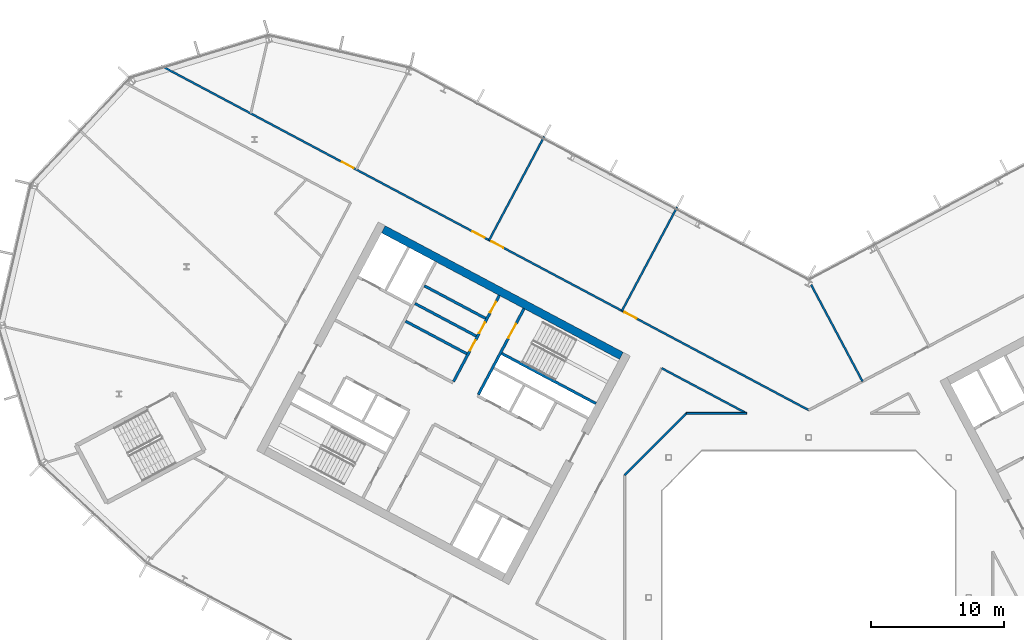
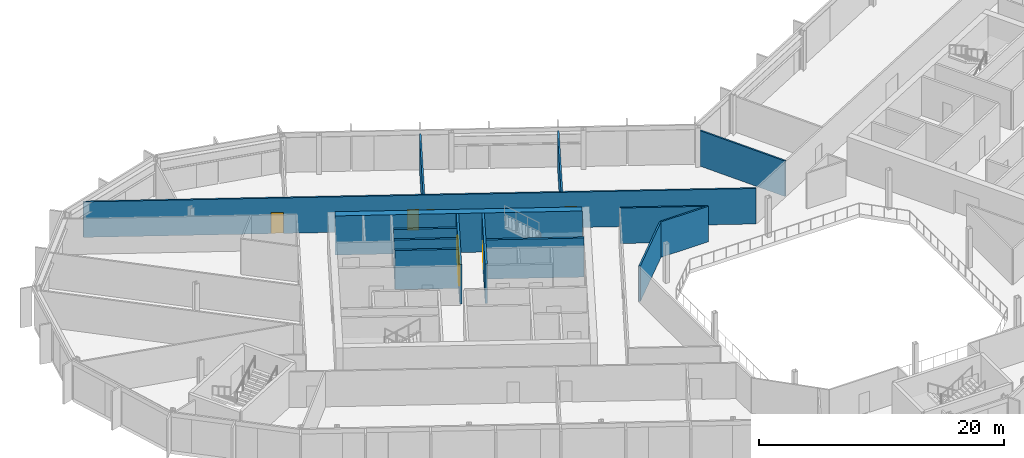
# One storey, part 14 of 26: 14 walls, 8 doors, 8 openings.
"""IFC4 building model written with IfcOpenShell, lengths in metres."""

from ifc_helpers import new_model, si_unit, direction, frame, frame_2d, origin, place, context, subcontext, project, spatial, rectangle, extrude, material, layer, layer_set, type_object, element, fill, save


model = new_model("IFC4")

# Units and contexts
model_context = context("Model", 3, precision=1e-05, world=origin(), true_north=direction((0.0, 1.0)))
body_context = subcontext(model_context, "Body", "Model", "MODEL_VIEW")
ifc_project = project(units=[si_unit("LENGTHUNIT", "METRE"), si_unit("AREAUNIT", "SQUARE_METRE"), si_unit("VOLUMEUNIT", "CUBIC_METRE"), si_unit("PLANEANGLEUNIT", "RADIAN"), si_unit("MASSUNIT", "GRAM", prefix="KILO")], contexts=[model_context])

# Site, building, storey
site_placement = place(None, origin())
site = spatial("IfcSite", under=ifc_project, at=site_placement, CompositionType="ELEMENT")
building_placement = place(site_placement, origin())
building = spatial("IfcBuilding", under=site, at=building_placement, Name="Cormorant Relay Tower", CompositionType="ELEMENT")
storey_placement = place(building_placement, frame((0.0, 0.0, 205.199951171875)))
storey = spatial("IfcBuildingStorey", under=building, at=storey_placement, Name="L44", CompositionType="ELEMENT", Elevation=205.199951171875)

# Walls
ifc_material_1 = material(Name="Concrete 40 MPa", Category="concrete")
ifc_layer_1 = layer(ifc_material_1, 0.199951171875)
ifc_layer_set_1 = layer_set([ifc_layer_1], Name="Core internal wall 200")
wall_type_1 = type_object("IfcWallType", Name="Core internal wall 200", PredefinedType="SOLIDWALL", material=ifc_layer_set_1)
wall_1_placement = place(storey_placement, frame((-24.214599609375, 20.91650390625, 0.0), z_axis=(0.0, 0.0, 1.0), x_axis=(-0.882964314875, 0.469440111896, 0.0)))
element("IfcWall", 1, at=wall_1_placement, inside=storey, type_object=wall_type_1, Name="L44 core A shaft and room wall", PredefinedType="SOLIDWALL", context=body_context, shape_type="SweptSolid", body=[
    extrude(rectangle(XDim=5.2001953125, YDim=0.199951171875, at=frame_2d((2.60009765625, 0.0))), origin(), (0.0, 0.0, 1.0), 3.900146484375),
])
wall_2_placement = place(storey_placement, frame((-24.9189453125, 19.592041015625, 0.0), z_axis=(0.0, 0.0, 1.0), x_axis=(-0.882953967957, 0.469459572775, 0.0)))
element("IfcWall", 2, at=wall_2_placement, inside=storey, type_object=wall_type_1, Name="L44 core A shaft and room wall", PredefinedType="SOLIDWALL", context=body_context, shape_type="SweptSolid", body=[
    extrude(rectangle(XDim=5.199951171875, YDim=0.199951171875, at=frame_2d((2.60009765625, 0.0))), origin(), (0.0, 0.0, 1.0), 3.900146484375),
])

# Wall, opening, door
ifc_material_2 = material(Name="Concrete 50 MPa", Category="concrete")
ifc_layer_2 = layer(ifc_material_2, 0.199951171875)
ifc_layer_set_2 = layer_set([ifc_layer_2], Name="Core shaft wall 200")
wall_type_2 = type_object("IfcWallType", Name="Core shaft wall 200", PredefinedType="SHEAR", material=ifc_layer_set_2)
wall_3_placement = place(storey_placement, frame((-21.333251953125, 21.6494140625, 0.0), z_axis=(0.0, 0.0, 1.0), x_axis=(-0.469494272526, -0.882935517501, 0.0)))
wall_3 = element("IfcWall", 3, at=wall_3_placement, inside=storey, type_object=wall_type_2, Name="L44 core A shaft wall", PredefinedType="SHEAR", context=body_context, shape_type="SweptSolid", body=[
    extrude(rectangle(XDim=7.2998046875, YDim=0.199951171875, at=frame_2d((3.64990234375, 0.0))), origin(), (0.0, 0.0, 1.0), 3.900146484375),
])
opening_1_placement = place(wall_3_placement, frame((1.300048828125, 0.0, 0.0)))
opening_1 = element("IfcOpeningElement", 4, at=opening_1_placement, cuts=wall_3, Name="Opening CDB-038", PredefinedType="OPENING", context=body_context, shape_type="SweptSolid", body=[
    extrude(rectangle(XDim=1.199951171875, YDim=2.10009765625, at=frame_2d((0.60009765625, 1.050048828125))), frame((0.0, 0.10986328125, 0.0), z_axis=(0.0, -1.0, 0.0), x_axis=(1.0, 0.0, 0.0)), (0.0, 0.0, 1.0), 0.219970703125),
])
ifc_material_3 = material(Name="Steel fire door", Category="steel")
door_type_1 = type_object("IfcDoorType", Name="Core stair door 1200x2100", OperationType="SINGLE_SWING_LEFT", PredefinedType="DOOR", material=ifc_material_3)
door_1_placement = place(opening_1_placement, origin())
door_1 = element("IfcDoor", 5, at=door_1_placement, inside=storey, type_object=door_type_1, Name="Core stair door 1200x2100", OperationType="SINGLE_SWING_RIGHT", OverallHeight=2.10009765625, OverallWidth=1.199951171875, PredefinedType="DOOR", context=body_context, shape_type="SweptSolid", body=[
    extrude(rectangle(XDim=1.199951171875, YDim=2.10009765625, at=frame_2d((0.60009765625, 1.050048828125))), frame((0.0, 0.02490234375, 0.0), z_axis=(0.0, -1.0, 0.0), x_axis=(1.0, 0.0, 0.0)), (0.0, 0.0, 1.0), 0.050048828125),
])
fill(opening_1, door_1)

# Wall, openings, doors
wall_4_placement = place(storey_placement, frame((-23.1875, 22.635498046875, 0.0), z_axis=(0.0, 0.0, 1.0), x_axis=(-0.469454336211, -0.882956752176, 0.0)))
wall_4 = element("IfcWall", 6, at=wall_4_placement, inside=storey, type_object=wall_type_2, Name="L44 core A shaft wall", PredefinedType="SHEAR", context=body_context, shape_type="SweptSolid", body=[
    extrude(rectangle(XDim=7.300048828125, YDim=0.199951171875, at=frame_2d((3.64990234375, 0.0))), origin(), (0.0, 0.0, 1.0), 3.900146484375),
])
opening_2_placement = place(wall_4_placement, frame((0.550048828125, 0.0, 0.0)))
opening_2 = element("IfcOpeningElement", 7, at=opening_2_placement, cuts=wall_4, Name="Opening CDD-257", PredefinedType="OPENING", context=body_context, shape_type="SweptSolid", body=[
    extrude(rectangle(XDim=0.89990234375, YDim=2.10009765625, at=frame_2d((0.449951171875, 1.050048828125))), frame((0.0, 0.10986328125, 0.0), z_axis=(0.0, -1.0, 0.0), x_axis=(1.0, 0.0, 0.0)), (0.0, 0.0, 1.0), 0.219970703125),
])
opening_3_placement = place(wall_4_placement, frame((2.300048828125, 0.0, 0.0)))
opening_3 = element("IfcOpeningElement", 8, at=opening_3_placement, cuts=wall_4, Name="Opening CDD-258", PredefinedType="OPENING", context=body_context, shape_type="SweptSolid", body=[
    extrude(rectangle(XDim=0.89990234375, YDim=2.10009765625, at=frame_2d((0.449951171875, 1.050048828125))), frame((0.0, 0.10986328125, 0.0), z_axis=(0.0, -1.0, 0.0), x_axis=(1.0, 0.0, 0.0)), (0.0, 0.0, 1.0), 0.219970703125),
])
opening_4_placement = place(wall_4_placement, frame((3.800048828125, 0.0, 0.0)))
opening_4 = element("IfcOpeningElement", 9, at=opening_4_placement, cuts=wall_4, Name="Opening CDD-259", PredefinedType="OPENING", context=body_context, shape_type="SweptSolid", body=[
    extrude(rectangle(XDim=0.89990234375, YDim=2.10009765625, at=frame_2d((0.449951171875, 1.050048828125))), frame((0.0, 0.10986328125, 0.0), z_axis=(0.0, -1.0, 0.0), x_axis=(1.0, 0.0, 0.0)), (0.0, 0.0, 1.0), 0.219970703125),
])
ifc_material_4 = material(Name="Steel fire door", Category="steel")
door_type_2 = type_object("IfcDoorType", Name="Core room door 900x2100", OperationType="SINGLE_SWING_LEFT", PredefinedType="DOOR", material=ifc_material_4)
door_2_placement = place(opening_2_placement, origin())
door_2 = element("IfcDoor", 10, at=door_2_placement, inside=storey, type_object=door_type_2, Name="Core room door 900x2100", OperationType="SINGLE_SWING_LEFT", OverallHeight=2.10009765625, OverallWidth=0.89990234375, PredefinedType="DOOR", context=body_context, shape_type="SweptSolid", body=[
    extrude(rectangle(XDim=0.89990234375, YDim=2.10009765625, at=frame_2d((0.449951171875, 1.050048828125))), frame((0.0, 0.02490234375, 0.0), z_axis=(0.0, -1.0, 0.0), x_axis=(1.0, 0.0, 0.0)), (0.0, 0.0, 1.0), 0.050048828125),
])
fill(opening_2, door_2)
door_3_placement = place(opening_3_placement, origin())
door_3 = element("IfcDoor", 11, at=door_3_placement, inside=storey, type_object=door_type_2, Name="Core room door 900x2100", OperationType="SINGLE_SWING_LEFT", OverallHeight=2.10009765625, OverallWidth=0.89990234375, PredefinedType="DOOR", context=body_context, shape_type="SweptSolid", body=[
    extrude(rectangle(XDim=0.89990234375, YDim=2.10009765625, at=frame_2d((0.449951171875, 1.050048828125))), frame((0.0, 0.02490234375, 0.0), z_axis=(0.0, -1.0, 0.0), x_axis=(1.0, 0.0, 0.0)), (0.0, 0.0, 1.0), 0.050048828125),
])
fill(opening_3, door_3)
door_4_placement = place(opening_4_placement, origin())
door_4 = element("IfcDoor", 12, at=door_4_placement, inside=storey, type_object=door_type_2, Name="Core room door 900x2100", OperationType="SINGLE_SWING_LEFT", OverallHeight=2.10009765625, OverallWidth=0.89990234375, PredefinedType="DOOR", context=body_context, shape_type="SweptSolid", body=[
    extrude(rectangle(XDim=0.89990234375, YDim=2.10009765625, at=frame_2d((0.449951171875, 1.050048828125))), frame((0.0, 0.02490234375, 0.0), z_axis=(0.0, -1.0, 0.0), x_axis=(1.0, 0.0, 0.0)), (0.0, 0.0, 1.0), 0.050048828125),
])
fill(opening_4, door_4)

# Walls
wall_5_placement = place(storey_placement, frame((-15.94189453125, 14.53564453125, 0.0), z_axis=(0.0, 0.0, 1.0), x_axis=(-0.882946947542, 0.469472776449, 0.0)))
element("IfcWall", 13, at=wall_5_placement, inside=storey, type_object=wall_type_2, Name="L44 core A shaft wall", PredefinedType="SHEAR", context=body_context, shape_type="SweptSolid", body=[
    extrude(rectangle(XDim=8.000244140625, YDim=0.199951171875, at=frame_2d((4.0, 0.0))), origin(), (0.0, 0.0, 1.0), 3.900146484375),
])
wall_6_placement = place(storey_placement, frame((-25.623046875, 18.267578125, 0.0), z_axis=(0.0, 0.0, 1.0), x_axis=(-0.882953967957, 0.469459572775, 0.0)))
element("IfcWall", 14, at=wall_6_placement, inside=storey, type_object=wall_type_2, Name="L44 core A shaft wall", PredefinedType="SHEAR", context=body_context, shape_type="SweptSolid", body=[
    extrude(rectangle(XDim=5.199951171875, YDim=0.199951171875, at=frame_2d((2.60009765625, 0.0))), origin(), (0.0, 0.0, 1.0), 3.900146484375),
])
ifc_material_5 = material(Name="Concrete 50 MPa", Category="concrete")
ifc_layer_3 = layer(ifc_material_5, 0.60009765625)
ifc_layer_set_3 = layer_set([ifc_layer_3], Name="Core wall 600")
wall_type_3 = type_object("IfcWallType", Name="Core wall 600", PredefinedType="SHEAR", material=ifc_layer_set_3)
wall_7_placement = place(storey_placement, frame((-14.04052734375, 18.111572265625, 0.0), z_axis=(0.0, 0.0, 1.0), x_axis=(-0.882947755831, 0.46947125628, 0.0)))
element("IfcWall", 15, at=wall_7_placement, inside=storey, type_object=wall_type_3, Name="L44 core A wall", PredefinedType="SHEAR", context=body_context, shape_type="SweptSolid", body=[
    extrude(rectangle(XDim=20.2001953125, YDim=0.60009765625, at=frame_2d((10.10009765625, 0.0))), origin(), (0.0, 0.0, 1.0), 3.900146484375),
])

# Wall, openings, doors
ifc_material_6 = material(Name="Gypsum board fire partition")
ifc_layer_4 = layer(ifc_material_6, 0.14990234375)
ifc_layer_set_4 = layer_set([ifc_layer_4], Name="Corridor partition 150 EI 60")
wall_type_4 = type_object("IfcWallType", Name="Corridor partition 150 EI 60", PredefinedType="PARTITIONING", material=ifc_layer_set_4)
wall_8_placement = place(storey_placement, frame((-48.541015625, 39.85400390625, 0.0), z_axis=(0.0, 0.0, 1.0), x_axis=(0.882945008423, -0.469476423372, 0.0)))
wall_8 = element("IfcWall", 16, at=wall_8_placement, inside=storey, type_object=wall_type_4, Name="wall/L44/part/011", PredefinedType="PARTITIONING", context=body_context, shape_type="SweptSolid", body=[
    extrude(rectangle(XDim=54.976318359375, YDim=0.14990234375, at=frame_2d((27.48828125, 0.0))), origin(), (0.0, 0.0, 1.0), 3.5400390625),
])
opening_5_placement = place(wall_8_placement, frame((39.35009765625, 0.0, 0.0)))
opening_5 = element("IfcOpeningElement", 17, at=opening_5_placement, cuts=wall_8, Name="Opening DS-134", PredefinedType="OPENING", context=body_context, shape_type="SweptSolid", body=[
    extrude(rectangle(XDim=1.0, YDim=2.10009765625, at=frame_2d((0.5, 1.050048828125))), frame((0.0, 0.0849609375, 0.0), z_axis=(0.0, -1.0, 0.0), x_axis=(1.0, 0.0, 0.0)), (0.0, 0.0, 1.0), 0.169921875),
])
opening_6_placement = place(wall_8_placement, frame((28.050048828125, 0.0, 0.0)))
opening_6 = element("IfcOpeningElement", 18, at=opening_6_placement, cuts=wall_8, Name="Opening DS-135", PredefinedType="OPENING", context=body_context, shape_type="SweptSolid", body=[
    extrude(rectangle(XDim=1.0, YDim=2.10009765625, at=frame_2d((0.5, 1.050048828125))), frame((0.0, 0.0849609375, 0.0), z_axis=(0.0, -1.0, 0.0), x_axis=(1.0, 0.0, 0.0)), (0.0, 0.0, 1.0), 0.169921875),
])
opening_7_placement = place(wall_8_placement, frame((26.448974609375, 0.0, 0.0)))
opening_7 = element("IfcOpeningElement", 19, at=opening_7_placement, cuts=wall_8, Name="Opening DS-136", PredefinedType="OPENING", context=body_context, shape_type="SweptSolid", body=[
    extrude(rectangle(XDim=1.0, YDim=2.10009765625, at=frame_2d((0.5, 1.050048828125))), frame((0.0, 0.0849609375, 0.0), z_axis=(0.0, -1.0, 0.0), x_axis=(1.0, 0.0, 0.0)), (0.0, 0.0, 1.0), 0.169921875),
])
opening_8_placement = place(wall_8_placement, frame((15.35009765625, 0.0, 0.0)))
opening_8 = element("IfcOpeningElement", 20, at=opening_8_placement, cuts=wall_8, Name="Opening DS-120", PredefinedType="OPENING", context=body_context, shape_type="SweptSolid", body=[
    extrude(rectangle(XDim=1.0, YDim=2.10009765625, at=frame_2d((0.5, 1.050048828125))), frame((0.0, 0.0849609375, 0.0), z_axis=(0.0, -1.0, 0.0), x_axis=(1.0, 0.0, 0.0)), (0.0, 0.0, 1.0), 0.169921875),
])
ifc_material_7 = material(Name="Timber door leaf", Category="wood")
door_type_3 = type_object("IfcDoorType", Name="Suite door 1000x2100", OperationType="SINGLE_SWING_LEFT", PredefinedType="DOOR", material=ifc_material_7)
door_5_placement = place(opening_5_placement, origin())
door_5 = element("IfcDoor", 21, at=door_5_placement, inside=storey, type_object=door_type_3, Name="door/L44/017", OperationType="SINGLE_SWING_LEFT", OverallHeight=2.10009765625, OverallWidth=1.0, PredefinedType="DOOR", context=body_context, shape_type="SweptSolid", body=[
    extrude(rectangle(XDim=1.0, YDim=2.10009765625, at=frame_2d((0.5, 1.050048828125))), frame((0.0, 0.02490234375, 0.0), z_axis=(0.0, -1.0, 0.0), x_axis=(1.0, 0.0, 0.0)), (0.0, 0.0, 1.0), 0.050048828125),
])
fill(opening_5, door_5)
door_6_placement = place(opening_6_placement, origin())
door_6 = element("IfcDoor", 22, at=door_6_placement, inside=storey, type_object=door_type_3, Name="door/L44/018", OperationType="SINGLE_SWING_LEFT", OverallHeight=2.10009765625, OverallWidth=1.0, PredefinedType="DOOR", context=body_context, shape_type="SweptSolid", body=[
    extrude(rectangle(XDim=1.0, YDim=2.10009765625, at=frame_2d((0.5, 1.050048828125))), frame((0.0, 0.02490234375, 0.0), z_axis=(0.0, -1.0, 0.0), x_axis=(1.0, 0.0, 0.0)), (0.0, 0.0, 1.0), 0.050048828125),
])
fill(opening_6, door_6)
door_7_placement = place(opening_7_placement, origin())
door_7 = element("IfcDoor", 23, at=door_7_placement, inside=storey, type_object=door_type_3, Name="door/L44/019", OperationType="SINGLE_SWING_RIGHT", OverallHeight=2.10009765625, OverallWidth=1.0, PredefinedType="DOOR", context=body_context, shape_type="SweptSolid", body=[
    extrude(rectangle(XDim=1.0, YDim=2.10009765625, at=frame_2d((0.5, 1.050048828125))), frame((0.0, 0.02490234375, 0.0), z_axis=(0.0, -1.0, 0.0), x_axis=(1.0, 0.0, 0.0)), (0.0, 0.0, 1.0), 0.050048828125),
])
fill(opening_7, door_7)
door_8_placement = place(opening_8_placement, origin())
door_8 = element("IfcDoor", 24, at=door_8_placement, inside=storey, type_object=door_type_3, Name="door/L44/020", OperationType="SINGLE_SWING_RIGHT", OverallHeight=2.10009765625, OverallWidth=1.0, PredefinedType="DOOR", context=body_context, shape_type="SweptSolid", body=[
    extrude(rectangle(XDim=1.0, YDim=2.10009765625, at=frame_2d((0.5, 1.050048828125))), frame((0.0, 0.02490234375, 0.0), z_axis=(0.0, -1.0, 0.0), x_axis=(1.0, 0.0, 0.0)), (0.0, 0.0, 1.0), 0.050048828125),
])
fill(opening_8, door_8)

# Walls
wall_9_placement = place(storey_placement, frame((-11.02197265625, 17.18603515625, 0.0), z_axis=(0.0, 0.0, 1.0), x_axis=(0.882971498546, -0.469426599967, 0.0)))
element("IfcWall", 25, at=wall_9_placement, inside=storey, type_object=wall_type_4, Name="wall/L44/part/045", PredefinedType="PARTITIONING", context=body_context, shape_type="SweptSolid", body=[
    extrude(rectangle(XDim=7.213134765625, YDim=0.14990234375, at=frame_2d((3.6064453125, 0.0))), origin(), (0.0, 0.0, 1.0), 3.5400390625),
])
wall_10_placement = place(storey_placement, frame((-4.653076171875, 13.800048828125, 0.0), z_axis=(0.0, 0.0, 1.0), x_axis=(-1.0, 0.0, 0.0)))
element("IfcWall", 26, at=wall_10_placement, inside=storey, type_object=wall_type_4, Name="wall/L44/part/046", PredefinedType="PARTITIONING", context=body_context, shape_type="SweptSolid", body=[
    extrude(rectangle(XDim=4.5068359375, YDim=0.14990234375, at=frame_2d((2.25341796875, 0.0))), origin(), (0.0, 0.0, 1.0), 3.5400390625),
])
wall_11_placement = place(storey_placement, frame((-9.159912109375, 13.800048828125, 0.0), z_axis=(0.0, 0.0, 1.0), x_axis=(-0.707106781187, -0.707106781187, 0.0)))
element("IfcWall", 27, at=wall_11_placement, inside=storey, type_object=wall_type_4, Name="wall/L44/part/047", PredefinedType="PARTITIONING", context=body_context, shape_type="SweptSolid", body=[
    extrude(rectangle(XDim=6.562255859375, YDim=0.14990234375, at=frame_2d((3.28125, 0.0))), origin(), (0.0, 0.0, 1.0), 3.5400390625),
])
ifc_material_8 = material(Name="Gypsum board partition")
ifc_layer_5 = layer(ifc_material_8, 0.14990234375)
ifc_layer_set_5 = layer_set([ifc_layer_5], Name="Tenant partition 150")
wall_type_5 = type_object("IfcWallType", Name="Tenant partition 150", PredefinedType="PARTITIONING", material=ifc_layer_set_5)
for number, where, z_axis, x_axis, name in (
    (28, (-19.822021484375, 34.550048828125, 0.0), (0.0, 0.0, 1.0), (-0.469424316479, -0.882972712545, 0.0), "wall/L44/part/019"),
    (29, (-9.864013671875, 29.2548828125, 0.0), (0.0, 0.0, 1.0), (-0.469457446168, -0.882955098653, 0.0), "wall/L44/part/020"),
):
    element("IfcWall", number, at=place(storey_placement, frame(where, z_axis=z_axis, x_axis=x_axis)), inside=storey, type_object=wall_type_5, Name=name, PredefinedType="PARTITIONING", context=body_context, shape_type="SweptSolid", body=[
        extrude(rectangle(XDim=8.7998046875, YDim=0.14990234375, at=frame_2d((4.39990234375, 0.0))), origin(), (0.0, 0.0, 1.0), 3.5400390625),
    ])
wall_12_placement = place(storey_placement, frame((0.18310546875, 23.43994140625, 0.0), z_axis=(0.0, 0.0, 1.0), x_axis=(0.469529135479, -0.882916978507, 0.0)))
element("IfcWall", 30, at=wall_12_placement, inside=storey, type_object=wall_type_5, Name="wall/L44/part/024", PredefinedType="PARTITIONING", context=body_context, shape_type="SweptSolid", body=[
    extrude(rectangle(XDim=8.210205078125, YDim=0.14990234375, at=frame_2d((4.10498046875, 0.0))), origin(), (0.0, 0.0, 1.0), 3.5400390625),
])

save(model, "model.ifc")
